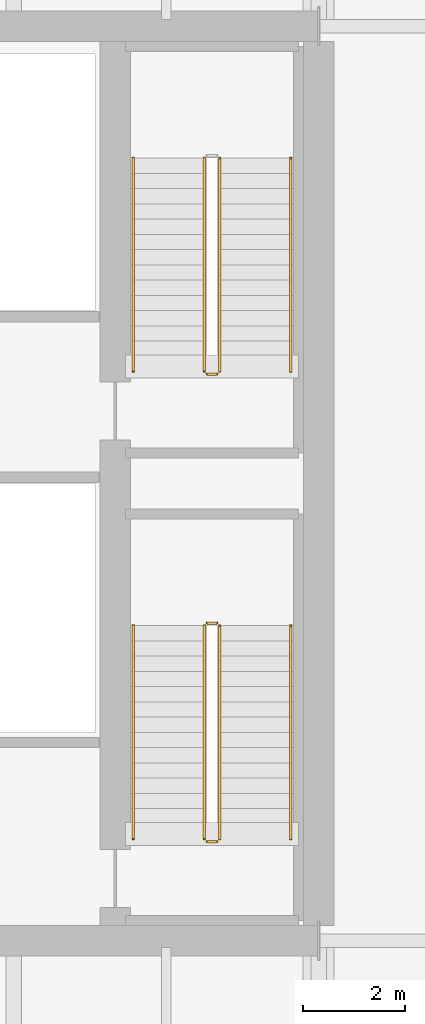
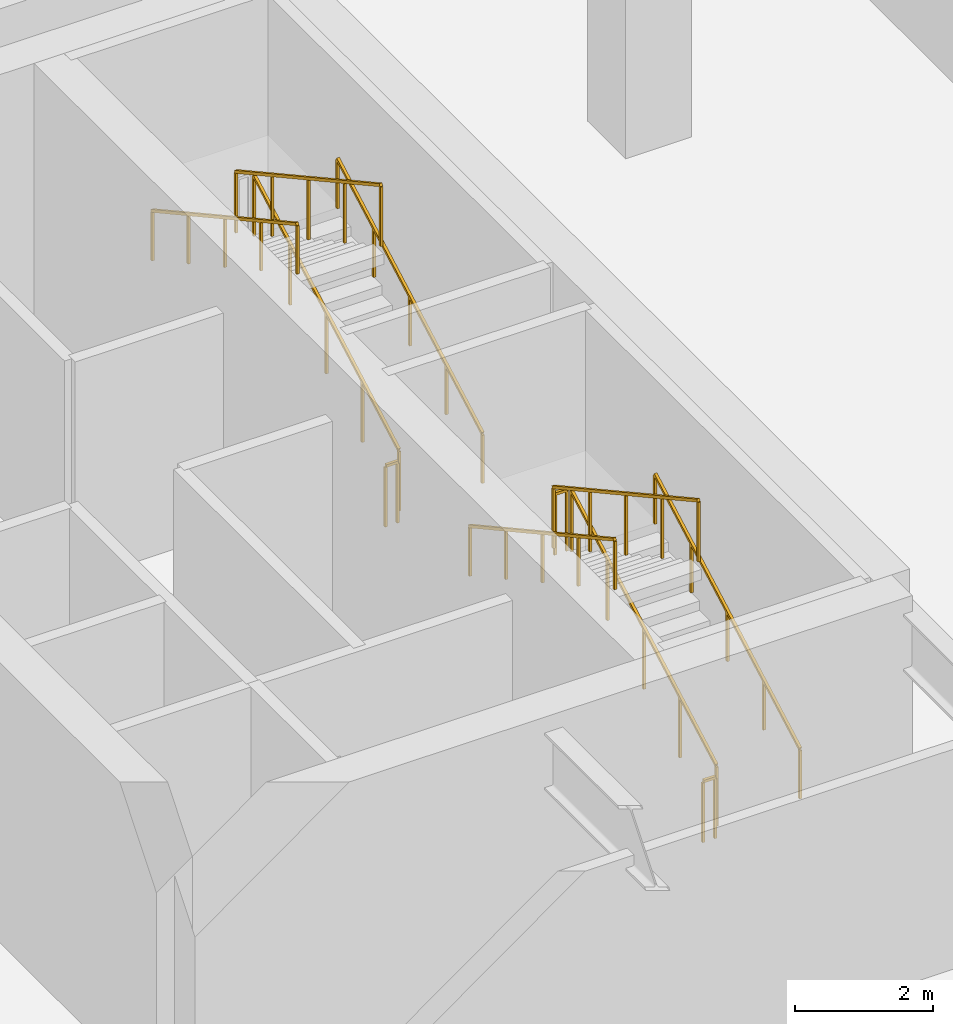
# One storey, part 20 of 22: 11 railings.
"""IFC4 building model written with IfcOpenShell, lengths in metres."""

from ifc_helpers import new_model, si_unit, direction, frame, origin, place, context, subcontext, project, spatial, rectangle, extrude, material, type_object, element, save


model = new_model("IFC4")

# Units and contexts
model_context = context("Model", 3, precision=1e-05, world=origin(), true_north=direction((0.0, 1.0)))
body_context = subcontext(model_context, "Body", "Model", "MODEL_VIEW")
ifc_project = project(units=[si_unit("LENGTHUNIT", "METRE"), si_unit("AREAUNIT", "SQUARE_METRE"), si_unit("VOLUMEUNIT", "CUBIC_METRE"), si_unit("PLANEANGLEUNIT", "RADIAN"), si_unit("MASSUNIT", "GRAM", prefix="KILO")], contexts=[model_context])

# Site, building, storey
site_placement = place(None, origin())
site = spatial("IfcSite", under=ifc_project, at=site_placement, CompositionType="ELEMENT")
building_placement = place(site_placement, origin())
building = spatial("IfcBuilding", under=site, at=building_placement, Name="Tanjung Sevakor Pilgrim Tower", CompositionType="ELEMENT")
storey_placement = place(building_placement, frame((0.0, 0.0, 73.260009765625)))
storey = spatial("IfcBuildingStorey", under=building, at=storey_placement, Name="L20", CompositionType="ELEMENT", Elevation=73.260009765625)

# Railings
ifc_material_1 = material(Name="Steel S355J2", Category="steel")
railing_type_1 = type_object("IfcRailingType", Name="RL-STAIR-GUARD", PredefinedType="GUARDRAIL", material=ifc_material_1)
railing_1_placement = place(storey_placement, frame((88.050048828125, 26.60009765625, 0.1650390625)))
element("IfcRailing", 1, at=railing_1_placement, inside=storey, type_object=railing_type_1, Name="L20 TS-E1 stair guard 1", PredefinedType="GUARDRAIL", context=body_context, shape_type="SweptSolid", body=[
    extrude(rectangle(XDim=0.0479, YDim=0.0479), frame((0.0, 0.0, 1.076171875), z_axis=(0.0, 0.876208380975, 0.481932436249), x_axis=(-1.0, 0.0, 0.0)), (0.0, 0.0, 1.0), 4.793212890625),
    extrude(rectangle(XDim=0.042, YDim=0.042), origin(), (0.0, 0.0, 1.0), 1.052001953125),
    extrude(rectangle(XDim=0.042, YDim=0.042), frame((0.0, 1.050048828125, 0.57763671875)), (0.0, 0.0, 1.0), 1.052001953125),
    extrude(rectangle(XDim=0.042, YDim=0.042), frame((0.0, 2.10009765625, 1.155029296875)), (0.0, 0.0, 1.0), 1.052001953125),
    extrude(rectangle(XDim=0.042, YDim=0.042), frame((0.0, 3.14990234375, 1.732421875)), (0.0, 0.0, 1.0), 1.052001953125),
    extrude(rectangle(XDim=0.042, YDim=0.042), frame((0.0, 4.199951171875, 2.31005859375)), (0.0, 0.0, 1.0), 1.052001953125),
])
railing_2_placement = place(storey_placement, frame((88.0, 30.85009765625, 2.47509765625)))
element("IfcRailing", 2, at=railing_2_placement, inside=storey, type_object=railing_type_1, Name="L20 TS-E1 stair guard 2", PredefinedType="GUARDRAIL", context=body_context, shape_type="SweptSolid", body=[
    extrude(rectangle(XDim=0.0479, YDim=0.0479), frame((0.0, 0.0, 1.076171875), z_axis=(-1.0, 0.0, 0.0), x_axis=(0.0, -1.0, 0.0)), (0.0, 0.0, 1.0), 0.199951171875),
    extrude(rectangle(XDim=0.042, YDim=0.042), origin(), (0.0, 0.0, 1.0), 1.052001953125),
    extrude(rectangle(XDim=0.042, YDim=0.042), frame((-0.199951171875, 0.0, 0.0)), (0.0, 0.0, 1.0), 1.052001953125),
])
railing_3_placement = place(storey_placement, frame((87.75, 30.800048828125, 2.639892578125)))
element("IfcRailing", 3, at=railing_3_placement, inside=storey, type_object=railing_type_1, Name="L20 TS-E1 stair guard 3", PredefinedType="GUARDRAIL", context=body_context, shape_type="SweptSolid", body=[
    extrude(rectangle(XDim=0.0479, YDim=0.0479), frame((0.0, 0.0, 1.076171875), z_axis=(0.0, -0.876208380975, 0.481932436249), x_axis=(1.0, 0.0, 0.0)), (0.0, 0.0, 1.0), 4.793212890625),
    extrude(rectangle(XDim=0.042, YDim=0.042), origin(), (0.0, 0.0, 1.0), 1.052001953125),
    extrude(rectangle(XDim=0.042, YDim=0.042), frame((0.0, -1.050048828125, 0.57763671875)), (0.0, 0.0, 1.0), 1.052001953125),
    extrude(rectangle(XDim=0.042, YDim=0.042), frame((0.0, -2.10009765625, 1.155029296875)), (0.0, 0.0, 1.0), 1.052001953125),
    extrude(rectangle(XDim=0.042, YDim=0.042), frame((0.0, -3.14990234375, 1.732421875)), (0.0, 0.0, 1.0), 1.052001953125),
    extrude(rectangle(XDim=0.042, YDim=0.042), frame((0.0, -4.199951171875, 2.31005859375)), (0.0, 0.0, 1.0), 1.052001953125),
])
railing_4_placement = place(storey_placement, frame((88.0, 26.550048828125, 0.0)))
element("IfcRailing", 4, at=railing_4_placement, inside=storey, type_object=railing_type_1, Name="L20 TS-E1 stair guard 4", PredefinedType="GUARDRAIL", context=body_context, shape_type="SweptSolid", body=[
    extrude(rectangle(XDim=0.0479, YDim=0.0479), frame((0.0, 0.0, 1.076171875), z_axis=(-1.0, 0.0, 0.0), x_axis=(0.0, -1.0, 0.0)), (0.0, 0.0, 1.0), 0.199951171875),
    extrude(rectangle(XDim=0.042, YDim=0.042), origin(), (0.0, 0.0, 1.0), 1.052001953125),
    extrude(rectangle(XDim=0.042, YDim=0.042), frame((-0.199951171875, 0.0, 0.0)), (0.0, 0.0, 1.0), 1.052001953125),
])
railing_5_placement = place(storey_placement, frame((88.050048828125, 35.800048828125, 0.1650390625)))
element("IfcRailing", 5, at=railing_5_placement, inside=storey, type_object=railing_type_1, Name="L20 TS-E2 stair guard 1", PredefinedType="GUARDRAIL", context=body_context, shape_type="SweptSolid", body=[
    extrude(rectangle(XDim=0.0479, YDim=0.0479), frame((0.0, 0.0, 1.076171875), z_axis=(0.0, 0.876208380975, 0.481932436249), x_axis=(-1.0, 0.0, 0.0)), (0.0, 0.0, 1.0), 4.793212890625),
    extrude(rectangle(XDim=0.042, YDim=0.042), origin(), (0.0, 0.0, 1.0), 1.052001953125),
    extrude(rectangle(XDim=0.042, YDim=0.042), frame((0.0, 1.050048828125, 0.57763671875)), (0.0, 0.0, 1.0), 1.052001953125),
    extrude(rectangle(XDim=0.042, YDim=0.042), frame((0.0, 2.10009765625, 1.155029296875)), (0.0, 0.0, 1.0), 1.052001953125),
    extrude(rectangle(XDim=0.042, YDim=0.042), frame((0.0, 3.14990234375, 1.732421875)), (0.0, 0.0, 1.0), 1.052001953125),
    extrude(rectangle(XDim=0.042, YDim=0.042), frame((0.0, 4.199951171875, 2.31005859375)), (0.0, 0.0, 1.0), 1.052001953125),
])
railing_6_placement = place(storey_placement, frame((87.75, 40.0, 2.639892578125)))
element("IfcRailing", 6, at=railing_6_placement, inside=storey, type_object=railing_type_1, Name="L20 TS-E2 stair guard 3", PredefinedType="GUARDRAIL", context=body_context, shape_type="SweptSolid", body=[
    extrude(rectangle(XDim=0.0479, YDim=0.0479), frame((0.0, 0.0, 1.076171875), z_axis=(0.0, -0.876208380975, 0.481932436249), x_axis=(1.0, 0.0, 0.0)), (0.0, 0.0, 1.0), 4.793212890625),
    extrude(rectangle(XDim=0.042, YDim=0.042), origin(), (0.0, 0.0, 1.0), 1.052001953125),
    extrude(rectangle(XDim=0.042, YDim=0.042), frame((0.0, -1.050048828125, 0.57763671875)), (0.0, 0.0, 1.0), 1.052001953125),
    extrude(rectangle(XDim=0.042, YDim=0.042), frame((0.0, -2.10009765625, 1.155029296875)), (0.0, 0.0, 1.0), 1.052001953125),
    extrude(rectangle(XDim=0.042, YDim=0.042), frame((0.0, -3.14990234375, 1.732421875)), (0.0, 0.0, 1.0), 1.052001953125),
    extrude(rectangle(XDim=0.042, YDim=0.042), frame((0.0, -4.199951171875, 2.31005859375)), (0.0, 0.0, 1.0), 1.052001953125),
])
railing_7_placement = place(storey_placement, frame((88.0, 35.75, 0.0)))
element("IfcRailing", 7, at=railing_7_placement, inside=storey, type_object=railing_type_1, Name="L20 TS-E2 stair guard 4", PredefinedType="GUARDRAIL", context=body_context, shape_type="SweptSolid", body=[
    extrude(rectangle(XDim=0.0479, YDim=0.0479), frame((0.0, 0.0, 1.076171875), z_axis=(-1.0, 0.0, 0.0), x_axis=(0.0, -1.0, 0.0)), (0.0, 0.0, 1.0), 0.199951171875),
    extrude(rectangle(XDim=0.042, YDim=0.042), origin(), (0.0, 0.0, 1.0), 1.052001953125),
    extrude(rectangle(XDim=0.042, YDim=0.042), frame((-0.199951171875, 0.0, 0.0)), (0.0, 0.0, 1.0), 1.052001953125),
])
ifc_material_2 = material(Name="Steel S355J2", Category="steel")
railing_type_2 = type_object("IfcRailingType", Name="RL-STAIR-HAND", PredefinedType="HANDRAIL", material=ifc_material_2)
railing_8_placement = place(storey_placement, frame((89.449951171875, 26.60009765625, 0.1650390625)))
element("IfcRailing", 8, at=railing_8_placement, inside=storey, type_object=railing_type_2, Name="L20 TS-E1 stair handrail 1", PredefinedType="HANDRAIL", context=body_context, shape_type="SweptSolid", body=[
    extrude(rectangle(XDim=0.0479, YDim=0.0479), frame((0.0, 0.0, 0.8759765625), z_axis=(0.0, 0.876208380975, 0.481932436249), x_axis=(-1.0, 0.0, 0.0)), (0.0, 0.0, 1.0), 4.793212890625),
    extrude(rectangle(XDim=0.042, YDim=0.042), origin(), (0.0, 0.0, 1.0), 0.851806640625),
    extrude(rectangle(XDim=0.042, YDim=0.042), frame((0.0, 1.050048828125, 0.57763671875)), (0.0, 0.0, 1.0), 0.851806640625),
    extrude(rectangle(XDim=0.042, YDim=0.042), frame((0.0, 2.10009765625, 1.155029296875)), (0.0, 0.0, 1.0), 0.851806640625),
    extrude(rectangle(XDim=0.042, YDim=0.042), frame((0.0, 3.14990234375, 1.732421875)), (0.0, 0.0, 1.0), 0.851806640625),
    extrude(rectangle(XDim=0.042, YDim=0.042), frame((0.0, 4.199951171875, 2.31005859375)), (0.0, 0.0, 1.0), 0.851806640625),
])
railing_9_placement = place(storey_placement, frame((86.35009765625, 30.800048828125, 2.639892578125)))
element("IfcRailing", 9, at=railing_9_placement, inside=storey, type_object=railing_type_2, Name="L20 TS-E1 stair handrail 2", PredefinedType="HANDRAIL", context=body_context, shape_type="SweptSolid", body=[
    extrude(rectangle(XDim=0.0479, YDim=0.0479), frame((0.0, 0.0, 0.8759765625), z_axis=(0.0, -0.876208380975, 0.481932436249), x_axis=(1.0, 0.0, 0.0)), (0.0, 0.0, 1.0), 4.793212890625),
    extrude(rectangle(XDim=0.042, YDim=0.042), origin(), (0.0, 0.0, 1.0), 0.851806640625),
    extrude(rectangle(XDim=0.042, YDim=0.042), frame((0.0, -1.050048828125, 0.57763671875)), (0.0, 0.0, 1.0), 0.851806640625),
    extrude(rectangle(XDim=0.042, YDim=0.042), frame((0.0, -2.10009765625, 1.155029296875)), (0.0, 0.0, 1.0), 0.851806640625),
    extrude(rectangle(XDim=0.042, YDim=0.042), frame((0.0, -3.14990234375, 1.732421875)), (0.0, 0.0, 1.0), 0.851806640625),
    extrude(rectangle(XDim=0.042, YDim=0.042), frame((0.0, -4.199951171875, 2.31005859375)), (0.0, 0.0, 1.0), 0.851806640625),
])
railing_10_placement = place(storey_placement, frame((89.449951171875, 35.800048828125, 0.1650390625)))
element("IfcRailing", 10, at=railing_10_placement, inside=storey, type_object=railing_type_2, Name="L20 TS-E2 stair handrail 1", PredefinedType="HANDRAIL", context=body_context, shape_type="SweptSolid", body=[
    extrude(rectangle(XDim=0.0479, YDim=0.0479), frame((0.0, 0.0, 0.8759765625), z_axis=(0.0, 0.876208380975, 0.481932436249), x_axis=(-1.0, 0.0, 0.0)), (0.0, 0.0, 1.0), 4.793212890625),
    extrude(rectangle(XDim=0.042, YDim=0.042), origin(), (0.0, 0.0, 1.0), 0.851806640625),
    extrude(rectangle(XDim=0.042, YDim=0.042), frame((0.0, 1.050048828125, 0.57763671875)), (0.0, 0.0, 1.0), 0.851806640625),
    extrude(rectangle(XDim=0.042, YDim=0.042), frame((0.0, 2.10009765625, 1.155029296875)), (0.0, 0.0, 1.0), 0.851806640625),
    extrude(rectangle(XDim=0.042, YDim=0.042), frame((0.0, 3.14990234375, 1.732421875)), (0.0, 0.0, 1.0), 0.851806640625),
    extrude(rectangle(XDim=0.042, YDim=0.042), frame((0.0, 4.199951171875, 2.31005859375)), (0.0, 0.0, 1.0), 0.851806640625),
])
railing_11_placement = place(storey_placement, frame((86.35009765625, 40.0, 2.639892578125)))
element("IfcRailing", 11, at=railing_11_placement, inside=storey, type_object=railing_type_2, Name="L20 TS-E2 stair handrail 2", PredefinedType="HANDRAIL", context=body_context, shape_type="SweptSolid", body=[
    extrude(rectangle(XDim=0.0479, YDim=0.0479), frame((0.0, 0.0, 0.8759765625), z_axis=(0.0, -0.876208380975, 0.481932436249), x_axis=(1.0, 0.0, 0.0)), (0.0, 0.0, 1.0), 4.793212890625),
    extrude(rectangle(XDim=0.042, YDim=0.042), origin(), (0.0, 0.0, 1.0), 0.851806640625),
    extrude(rectangle(XDim=0.042, YDim=0.042), frame((0.0, -1.050048828125, 0.57763671875)), (0.0, 0.0, 1.0), 0.851806640625),
    extrude(rectangle(XDim=0.042, YDim=0.042), frame((0.0, -2.10009765625, 1.155029296875)), (0.0, 0.0, 1.0), 0.851806640625),
    extrude(rectangle(XDim=0.042, YDim=0.042), frame((0.0, -3.14990234375, 1.732421875)), (0.0, 0.0, 1.0), 0.851806640625),
    extrude(rectangle(XDim=0.042, YDim=0.042), frame((0.0, -4.199951171875, 2.31005859375)), (0.0, 0.0, 1.0), 0.851806640625),
])

save(model, "model.ifc")
